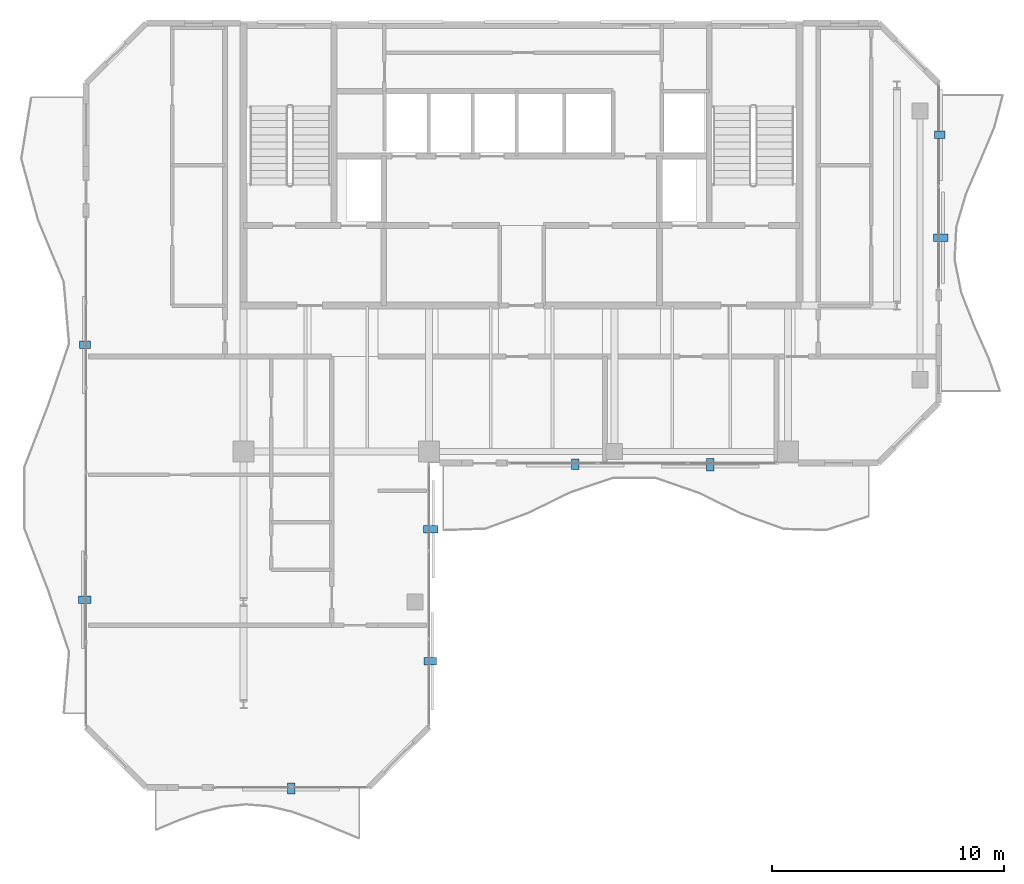
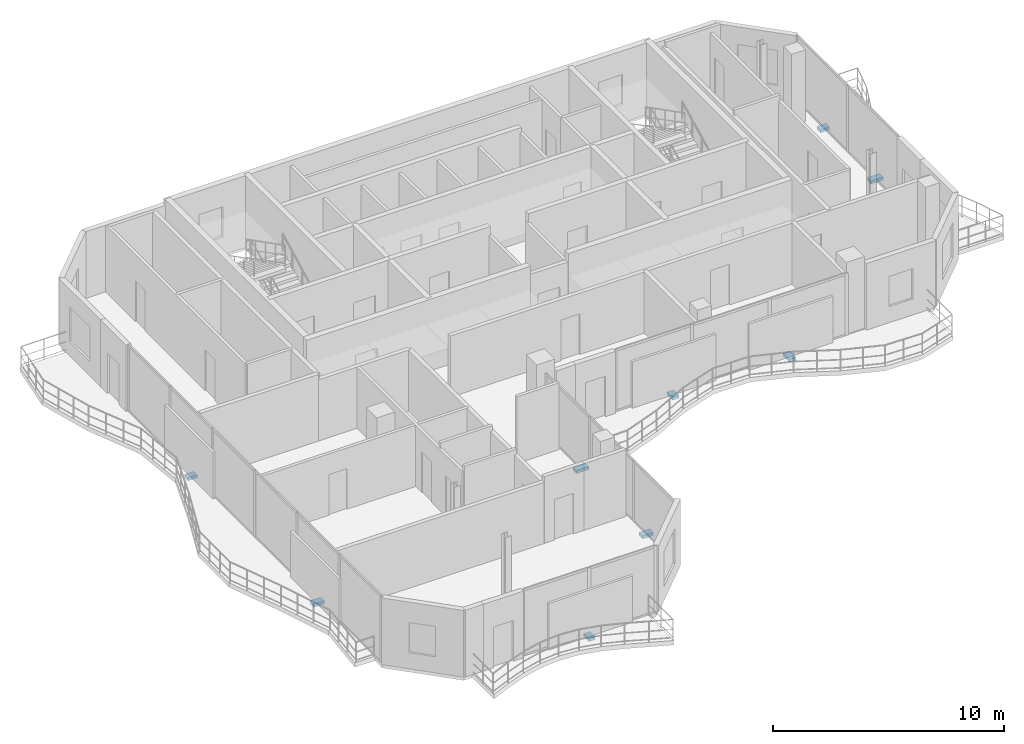
# One storey, part 15 of 17: 9 discrete accessories.
"""IFC4 building model written with IfcOpenShell, lengths in metres."""

from ifc_helpers import new_model, si_unit, direction, frame, origin, origin_2d, place, context, subcontext, project, spatial, rectangle, extrude, material, type_object, element, save


model = new_model("IFC4")

# Units and contexts
model_context = context("Model", 3, precision=1e-05, world=origin(), true_north=direction((0.0, 1.0)))
body_context = subcontext(model_context, "Body", "Model", "MODEL_VIEW")
ifc_project = project(units=[si_unit("LENGTHUNIT", "METRE"), si_unit("AREAUNIT", "SQUARE_METRE"), si_unit("VOLUMEUNIT", "CUBIC_METRE"), si_unit("PLANEANGLEUNIT", "RADIAN"), si_unit("MASSUNIT", "GRAM", prefix="KILO")], contexts=[model_context])

# Site, building, storey
site_placement = place(None, origin())
site = spatial("IfcSite", under=ifc_project, at=site_placement, CompositionType="ELEMENT")
building_placement = place(site_placement, origin())
building = spatial("IfcBuilding", under=site, at=building_placement, Name="Catumbela Crestline Tower", CompositionType="ELEMENT")
storey_placement = place(building_placement, frame((0.0, 0.0, 283.0)))
storey = spatial("IfcBuildingStorey", under=building, at=storey_placement, Name="L73", CompositionType="ELEMENT", Elevation=283.0)

# Discrete accessories
ifc_material = material(Name="Stainless steel EN 1.4401", Category="steel")
discrete_accessory_type = type_object("IfcDiscreteAccessoryType", Name="BK-SS1", PredefinedType="BRACKET", material=ifc_material)
discrete_accessory_1_placement = place(storey_placement, frame((18.05, 9.955, -0.18), z_axis=(0.0, 0.0, 1.0), x_axis=(1.0, 0.0, 0.0)))
element("IfcDiscreteAccessory", 1, at=discrete_accessory_1_placement, inside=storey, type_object=discrete_accessory_type, Name="L73 Solar Screen Stainless Bracket 901", PredefinedType="BRACKET", context=body_context, shape_type="SweptSolid", body=[
    extrude(rectangle(XDim=0.32, YDim=0.46, at=origin_2d()), origin(), (0.0, 0.0, 1.0), 0.16),
])
discrete_accessory_2_placement = place(storey_placement, frame((24.065, 15.45, -0.18), z_axis=(0.0, 0.0, 1.0), x_axis=(0.0, 1.0, 0.0)))
element("IfcDiscreteAccessory", 2, at=discrete_accessory_2_placement, inside=storey, type_object=discrete_accessory_type, Name="L73 Solar Screen Stainless Bracket 902", PredefinedType="BRACKET", context=body_context, shape_type="SweptSolid", body=[
    extrude(rectangle(XDim=0.32, YDim=0.54, at=origin_2d()), origin(), (0.0, 0.0, 1.0), 0.16),
])
discrete_accessory_3_placement = place(storey_placement, frame((24.085, 21.15, -0.18), z_axis=(0.0, 0.0, 1.0), x_axis=(0.0, 1.0, 0.0)))
element("IfcDiscreteAccessory", 3, at=discrete_accessory_3_placement, inside=storey, type_object=discrete_accessory_type, Name="L73 Solar Screen Stainless Bracket 903", PredefinedType="BRACKET", context=body_context, shape_type="SweptSolid", body=[
    extrude(rectangle(XDim=0.32, YDim=0.62, at=origin_2d()), origin(), (0.0, 0.0, 1.0), 0.16),
])
discrete_accessory_4_placement = place(storey_placement, frame((30.3125, 23.955, -0.18), z_axis=(0.0, 0.0, 1.0), x_axis=(1.0, 0.0, 0.0)))
element("IfcDiscreteAccessory", 4, at=discrete_accessory_4_placement, inside=storey, type_object=discrete_accessory_type, Name="L73 Solar Screen Stainless Bracket 904", PredefinedType="BRACKET", context=body_context, shape_type="SweptSolid", body=[
    extrude(rectangle(XDim=0.32, YDim=0.46, at=origin_2d()), origin(), (0.0, 0.0, 1.0), 0.16),
])
discrete_accessory_5_placement = place(storey_placement, frame((36.1375, 23.935, -0.18), z_axis=(0.0, 0.0, 1.0), x_axis=(1.0, 0.0, 0.0)))
element("IfcDiscreteAccessory", 5, at=discrete_accessory_5_placement, inside=storey, type_object=discrete_accessory_type, Name="L73 Solar Screen Stainless Bracket 905", PredefinedType="BRACKET", context=body_context, shape_type="SweptSolid", body=[
    extrude(rectangle(XDim=0.32, YDim=0.54, at=origin_2d()), origin(), (0.0, 0.0, 1.0), 0.16),
])
discrete_accessory_6_placement = place(storey_placement, frame((46.085, 33.725, -0.18), z_axis=(0.0, 0.0, 1.0), x_axis=(0.0, 1.0, 0.0)))
element("IfcDiscreteAccessory", 6, at=discrete_accessory_6_placement, inside=storey, type_object=discrete_accessory_type, Name="L73 Solar Screen Stainless Bracket 906", PredefinedType="BRACKET", context=body_context, shape_type="SweptSolid", body=[
    extrude(rectangle(XDim=0.32, YDim=0.62, at=origin_2d()), origin(), (0.0, 0.0, 1.0), 0.16),
])
for number, where, z_axis, x_axis, name in (
    (7, (46.045, 38.175, -0.18), (0.0, 0.0, 1.0), (0.0, 1.0, 0.0), "L73 Solar Screen Stainless Bracket 907"),
    (8, (9.155, 29.1, -0.18), (0.0, 0.0, 1.0), (0.0, -1.0, 0.0), "L73 Solar Screen Stainless Bracket 908"),
):
    element("IfcDiscreteAccessory", number, at=place(storey_placement, frame(where, z_axis=z_axis, x_axis=x_axis)), inside=storey, type_object=discrete_accessory_type, Name=name, PredefinedType="BRACKET", context=body_context, shape_type="SweptSolid", body=[
        extrude(rectangle(XDim=0.32, YDim=0.46, at=origin_2d()), origin(), (0.0, 0.0, 1.0), 0.16),
    ])
discrete_accessory_7_placement = place(storey_placement, frame((9.135, 18.1, -0.18), z_axis=(0.0, 0.0, 1.0), x_axis=(0.0, -1.0, 0.0)))
element("IfcDiscreteAccessory", 9, at=discrete_accessory_7_placement, inside=storey, type_object=discrete_accessory_type, Name="L73 Solar Screen Stainless Bracket 909", PredefinedType="BRACKET", context=body_context, shape_type="SweptSolid", body=[
    extrude(rectangle(XDim=0.32, YDim=0.54, at=origin_2d()), origin(), (0.0, 0.0, 1.0), 0.16),
])

save(model, "model.ifc")
